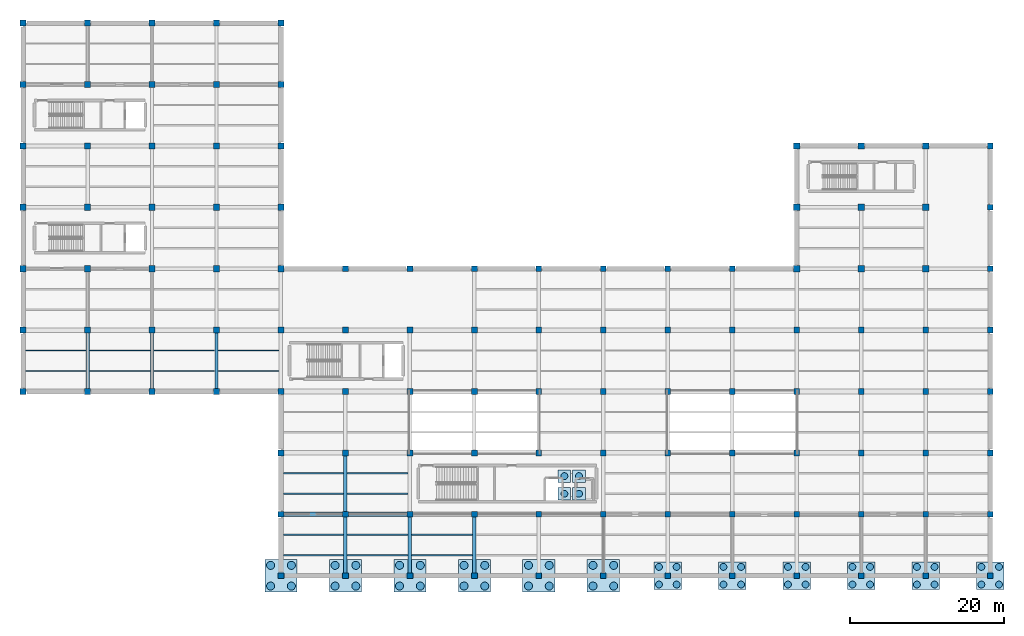
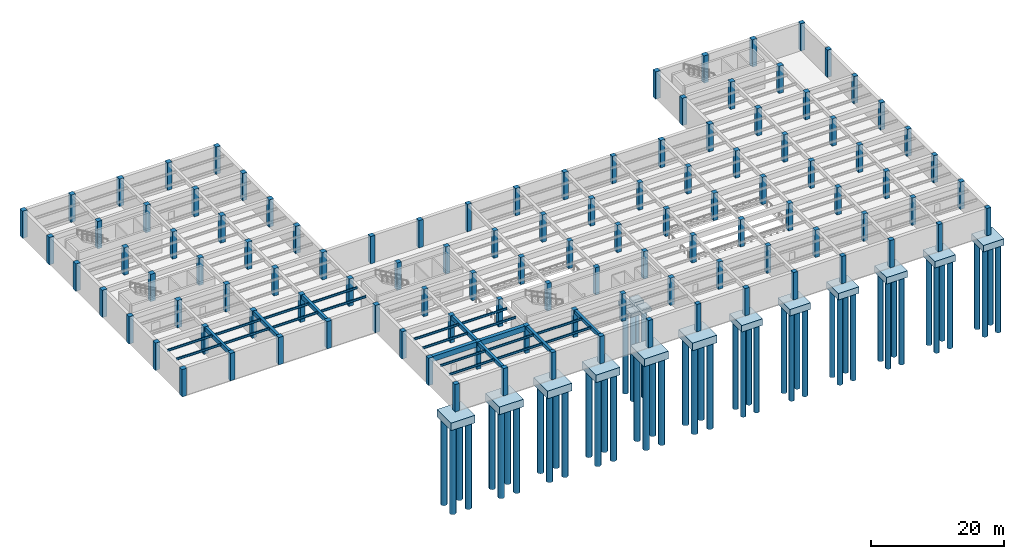
# One storey, part 1 of 16: 112 columns, 52 piles, 27 beams, 16 footings.
"""IFC4 building model written with IfcOpenShell, lengths in metres."""

from ifc_helpers import new_model, si_unit, direction, frame, origin, origin_2d, place, context, subcontext, project, spatial, rectangle, circle, i_section, extrude, material, material_profile, profile_set, type_object, element, save


model = new_model("IFC4")

# Units and contexts
model_context = context("Model", 3, precision=1e-05, world=origin(), true_north=direction((0.0, 1.0)))
body_context = subcontext(model_context, "Body", "Model", "MODEL_VIEW")
ifc_project = project(units=[si_unit("LENGTHUNIT", "METRE"), si_unit("AREAUNIT", "SQUARE_METRE"), si_unit("VOLUMEUNIT", "CUBIC_METRE"), si_unit("PLANEANGLEUNIT", "RADIAN"), si_unit("MASSUNIT", "GRAM", prefix="KILO")], contexts=[model_context])

# Site, building, storey
site_placement = place(None, origin())
site = spatial("IfcSite", under=ifc_project, at=site_placement, CompositionType="ELEMENT")
building_placement = place(site_placement, origin())
building = spatial("IfcBuilding", under=site, at=building_placement, Name="Kranzveld Transit Interchange", CompositionType="ELEMENT")
storey_placement = place(building_placement, frame((0.0, 0.0, -5.43994140625)))
storey = spatial("IfcBuildingStorey", under=building, at=storey_placement, Name="B1", CompositionType="ELEMENT", Elevation=-5.43994140625)

# Footings
ifc_material_1 = material(Name="Concrete C40/50", Category="concrete")
footing_type_1 = type_object("IfcFootingType", Name="Pad Footing 1650x1650x650 C40/50", PredefinedType="PAD_FOOTING", material=ifc_material_1)
for number, where, z_axis, x_axis, name in (
    (1, (70.52490234375, 34.675048828125, -1.64990234375), (0.0, 0.0, 1.0), (1.0, 0.0, 0.0), "PIT-B1 Corner Pad Footing 1"),
    (2, (72.425048828125, 34.675048828125, -1.64990234375), (0.0, 0.0, 1.0), (1.0, 0.0, 0.0), "PIT-B1 Corner Pad Footing 2"),
    (3, (70.52490234375, 36.97509765625, -1.64990234375), (0.0, 0.0, 1.0), (1.0, 0.0, 0.0), "PIT-B1 Corner Pad Footing 3"),
    (4, (72.425048828125, 36.97509765625, -1.64990234375), (0.0, 0.0, 1.0), (1.0, 0.0, 0.0), "PIT-B1 Corner Pad Footing 4"),
):
    element("IfcFooting", number, at=place(storey_placement, frame(where, z_axis=z_axis, x_axis=x_axis)), inside=storey, type_object=footing_type_1, Name=name, PredefinedType="PAD_FOOTING", context=body_context, shape_type="SweptSolid", body=[
        extrude(rectangle(XDim=1.64990234375, YDim=1.64990234375, at=origin_2d()), origin(), (0.0, 0.0, 1.0), 0.64990234375),
    ])

# Piles
ifc_material_2 = material(Name="Concrete C40/50", Category="concrete")
ifc_material_profile_1 = material_profile(ifc_material_2, circle(Radius=0.52490234375, at=origin_2d()), Name="BORED PILE 1050")
ifc_profile_set_1 = profile_set([ifc_material_profile_1], Name="Concrete C40/50")
pile_type_1 = type_object("IfcPileType", Name="Pile Bored 1050 C40/50", PredefinedType="BORED", material=ifc_profile_set_1)
for number, where, z_axis, x_axis, name in (
    (5, (32.25, 22.64990234375, -1.699951171875), (0.0, 0.0, -1.0), (1.0, 0.0, 0.0), "Bored Pile 05/D-P1"),
    (6, (34.949951171875, 22.64990234375, -1.699951171875), (0.0, 0.0, -1.0), (1.0, 0.0, 0.0), "Bored Pile 05/D-P2"),
    (7, (32.25, 25.35009765625, -1.699951171875), (0.0, 0.0, -1.0), (1.0, 0.0, 0.0), "Bored Pile 05/D-P3"),
    (8, (34.949951171875, 25.35009765625, -1.699951171875), (0.0, 0.0, -1.0), (1.0, 0.0, 0.0), "Bored Pile 05/D-P4"),
    (9, (40.64990234375, 22.64990234375, -1.699951171875), (0.0, 0.0, -1.0), (1.0, 0.0, 0.0), "Bored Pile 06/D-P1"),
    (10, (43.35009765625, 22.64990234375, -1.699951171875), (0.0, 0.0, -1.0), (1.0, 0.0, 0.0), "Bored Pile 06/D-P2"),
    (11, (40.64990234375, 25.35009765625, -1.699951171875), (0.0, 0.0, -1.0), (1.0, 0.0, 0.0), "Bored Pile 06/D-P3"),
    (12, (43.35009765625, 25.35009765625, -1.699951171875), (0.0, 0.0, -1.0), (1.0, 0.0, 0.0), "Bored Pile 06/D-P4"),
    (13, (49.050048828125, 22.64990234375, -1.699951171875), (0.0, 0.0, -1.0), (1.0, 0.0, 0.0), "Bored Pile 07/D-P1"),
    (14, (51.75, 22.64990234375, -1.699951171875), (0.0, 0.0, -1.0), (1.0, 0.0, 0.0), "Bored Pile 07/D-P2"),
    (15, (49.050048828125, 25.35009765625, -1.699951171875), (0.0, 0.0, -1.0), (1.0, 0.0, 0.0), "Bored Pile 07/D-P3"),
    (16, (51.75, 25.35009765625, -1.699951171875), (0.0, 0.0, -1.0), (1.0, 0.0, 0.0), "Bored Pile 07/D-P4"),
    (17, (57.449951171875, 22.64990234375, -1.699951171875), (0.0, 0.0, -1.0), (1.0, 0.0, 0.0), "Bored Pile 08/D-P1"),
    (18, (60.14990234375, 22.64990234375, -1.699951171875), (0.0, 0.0, -1.0), (1.0, 0.0, 0.0), "Bored Pile 08/D-P2"),
    (19, (57.449951171875, 25.35009765625, -1.699951171875), (0.0, 0.0, -1.0), (1.0, 0.0, 0.0), "Bored Pile 08/D-P3"),
    (20, (60.14990234375, 25.35009765625, -1.699951171875), (0.0, 0.0, -1.0), (1.0, 0.0, 0.0), "Bored Pile 08/D-P4"),
    (21, (65.85009765625, 22.64990234375, -1.699951171875), (0.0, 0.0, -1.0), (1.0, 0.0, 0.0), "Bored Pile 09/D-P1"),
    (22, (68.550048828125, 22.64990234375, -1.699951171875), (0.0, 0.0, -1.0), (1.0, 0.0, 0.0), "Bored Pile 09/D-P2"),
    (23, (65.85009765625, 25.35009765625, -1.699951171875), (0.0, 0.0, -1.0), (1.0, 0.0, 0.0), "Bored Pile 09/D-P3"),
    (24, (68.550048828125, 25.35009765625, -1.699951171875), (0.0, 0.0, -1.0), (1.0, 0.0, 0.0), "Bored Pile 09/D-P4"),
    (25, (74.25, 22.64990234375, -1.699951171875), (0.0, 0.0, -1.0), (1.0, 0.0, 0.0), "Bored Pile 10/D-P1"),
    (26, (76.949951171875, 22.64990234375, -1.699951171875), (0.0, 0.0, -1.0), (1.0, 0.0, 0.0), "Bored Pile 10/D-P2"),
    (27, (74.25, 25.35009765625, -1.699951171875), (0.0, 0.0, -1.0), (1.0, 0.0, 0.0), "Bored Pile 10/D-P3"),
    (28, (76.949951171875, 25.35009765625, -1.699951171875), (0.0, 0.0, -1.0), (1.0, 0.0, 0.0), "Bored Pile 10/D-P4"),
):
    element("IfcPile", number, at=place(storey_placement, frame(where, z_axis=z_axis, x_axis=x_axis)), inside=storey, type_object=pile_type_1, Name=name, PredefinedType="BORED", context=body_context, shape_type="SweptSolid", body=[
        extrude(circle(Radius=0.52490234375, at=origin_2d()), origin(), (0.0, 0.0, 1.0), 15.860107421875),
    ])
ifc_material_3 = material(Name="Concrete C40/50", Category="concrete")
ifc_material_profile_2 = material_profile(ifc_material_3, circle(Radius=0.449951171875, at=origin_2d()), Name="BORED PILE 900")
ifc_profile_set_2 = profile_set([ifc_material_profile_2], Name="Concrete C40/50")
pile_type_2 = type_object("IfcPileType", Name="Pile Bored 900 C40/50", PredefinedType="BORED", material=ifc_profile_set_2)
for number, where, z_axis, x_axis, name in (
    (29, (70.52490234375, 34.675048828125, -1.550048828125), (0.0, 0.0, -1.0), (1.0, 0.0, 0.0), "Bored Pile PIT-B1-P1"),
    (30, (72.425048828125, 34.675048828125, -1.550048828125), (0.0, 0.0, -1.0), (1.0, 0.0, 0.0), "Bored Pile PIT-B1-P2"),
    (31, (70.52490234375, 36.97509765625, -1.550048828125), (0.0, 0.0, -1.0), (1.0, 0.0, 0.0), "Bored Pile PIT-B1-P3"),
    (32, (72.425048828125, 36.97509765625, -1.550048828125), (0.0, 0.0, -1.0), (1.0, 0.0, 0.0), "Bored Pile PIT-B1-P4"),
):
    element("IfcPile", number, at=place(storey_placement, frame(where, z_axis=z_axis, x_axis=x_axis)), inside=storey, type_object=pile_type_2, Name=name, PredefinedType="BORED", context=body_context, shape_type="SweptSolid", body=[
        extrude(circle(Radius=0.449951171875, at=origin_2d()), origin(), (0.0, 0.0, 1.0), 16.010009765625),
    ])
for number, where, z_axis, x_axis, name in (
    (33, (82.85009765625, 22.85009765625, -1.5), (0.0, 0.0, -1.0), (1.0, 0.0, 0.0), "Bored Pile 11/D-P1"),
    (34, (85.14990234375, 22.85009765625, -1.5), (0.0, 0.0, -1.0), (1.0, 0.0, 0.0), "Bored Pile 11/D-P2"),
    (35, (82.85009765625, 25.14990234375, -1.5), (0.0, 0.0, -1.0), (1.0, 0.0, 0.0), "Bored Pile 11/D-P3"),
    (36, (85.14990234375, 25.14990234375, -1.5), (0.0, 0.0, -1.0), (1.0, 0.0, 0.0), "Bored Pile 11/D-P4"),
    (37, (91.25, 22.85009765625, -1.5), (0.0, 0.0, -1.0), (1.0, 0.0, 0.0), "Bored Pile 12/D-P1"),
    (38, (93.550048828125, 22.85009765625, -1.5), (0.0, 0.0, -1.0), (1.0, 0.0, 0.0), "Bored Pile 12/D-P2"),
    (39, (91.25, 25.14990234375, -1.5), (0.0, 0.0, -1.0), (1.0, 0.0, 0.0), "Bored Pile 12/D-P3"),
    (40, (93.550048828125, 25.14990234375, -1.5), (0.0, 0.0, -1.0), (1.0, 0.0, 0.0), "Bored Pile 12/D-P4"),
    (41, (99.64990234375, 22.85009765625, -1.5), (0.0, 0.0, -1.0), (1.0, 0.0, 0.0), "Bored Pile 13/D-P1"),
    (42, (101.949951171875, 22.85009765625, -1.5), (0.0, 0.0, -1.0), (1.0, 0.0, 0.0), "Bored Pile 13/D-P2"),
    (43, (99.64990234375, 25.14990234375, -1.5), (0.0, 0.0, -1.0), (1.0, 0.0, 0.0), "Bored Pile 13/D-P3"),
    (44, (101.949951171875, 25.14990234375, -1.5), (0.0, 0.0, -1.0), (1.0, 0.0, 0.0), "Bored Pile 13/D-P4"),
    (45, (108.050048828125, 22.85009765625, -1.5), (0.0, 0.0, -1.0), (1.0, 0.0, 0.0), "Bored Pile 14/D-P1"),
    (46, (110.35009765625, 22.85009765625, -1.5), (0.0, 0.0, -1.0), (1.0, 0.0, 0.0), "Bored Pile 14/D-P2"),
    (47, (108.050048828125, 25.14990234375, -1.5), (0.0, 0.0, -1.0), (1.0, 0.0, 0.0), "Bored Pile 14/D-P3"),
    (48, (110.35009765625, 25.14990234375, -1.5), (0.0, 0.0, -1.0), (1.0, 0.0, 0.0), "Bored Pile 14/D-P4"),
    (49, (116.449951171875, 22.85009765625, -1.5), (0.0, 0.0, -1.0), (1.0, 0.0, 0.0), "Bored Pile 15/D-P1"),
    (50, (118.75, 22.85009765625, -1.5), (0.0, 0.0, -1.0), (1.0, 0.0, 0.0), "Bored Pile 15/D-P2"),
    (51, (116.449951171875, 25.14990234375, -1.5), (0.0, 0.0, -1.0), (1.0, 0.0, 0.0), "Bored Pile 15/D-P3"),
    (52, (118.75, 25.14990234375, -1.5), (0.0, 0.0, -1.0), (1.0, 0.0, 0.0), "Bored Pile 15/D-P4"),
    (53, (124.85009765625, 22.85009765625, -1.5), (0.0, 0.0, -1.0), (1.0, 0.0, 0.0), "Bored Pile 16/D-P1"),
    (54, (127.14990234375, 22.85009765625, -1.5), (0.0, 0.0, -1.0), (1.0, 0.0, 0.0), "Bored Pile 16/D-P2"),
    (55, (124.85009765625, 25.14990234375, -1.5), (0.0, 0.0, -1.0), (1.0, 0.0, 0.0), "Bored Pile 16/D-P3"),
    (56, (127.14990234375, 25.14990234375, -1.5), (0.0, 0.0, -1.0), (1.0, 0.0, 0.0), "Bored Pile 16/D-P4"),
):
    element("IfcPile", number, at=place(storey_placement, frame(where, z_axis=z_axis, x_axis=x_axis)), inside=storey, type_object=pile_type_2, Name=name, PredefinedType="BORED", context=body_context, shape_type="SweptSolid", body=[
        extrude(circle(Radius=0.449951171875, at=origin_2d()), origin(), (0.0, 0.0, 1.0), 16.06005859375),
    ])

# Footings
ifc_material_4 = material(Name="Concrete C40/50", Category="concrete")
footing_type_2 = type_object("IfcFootingType", Name="Pile Cap 3600x3600x1200 C40/50", PredefinedType="PILE_CAP", material=ifc_material_4)
for number, where, z_axis, x_axis, name in (
    (57, (84.0, 24.0, -1.60009765625), (0.0, 0.0, 1.0), (1.0, 0.0, 0.0), "Pile Cap 11/D"),
    (58, (92.39990234375, 24.0, -1.60009765625), (0.0, 0.0, 1.0), (1.0, 0.0, 0.0), "Pile Cap 12/D"),
    (59, (100.800048828125, 24.0, -1.60009765625), (0.0, 0.0, 1.0), (1.0, 0.0, 0.0), "Pile Cap 13/D"),
    (60, (109.199951171875, 24.0, -1.60009765625), (0.0, 0.0, 1.0), (1.0, 0.0, 0.0), "Pile Cap 14/D"),
    (61, (117.60009765625, 24.0, -1.60009765625), (0.0, 0.0, 1.0), (1.0, 0.0, 0.0), "Pile Cap 15/D"),
    (62, (126.0, 24.0, -1.60009765625), (0.0, 0.0, 1.0), (1.0, 0.0, 0.0), "Pile Cap 16/D"),
):
    element("IfcFooting", number, at=place(storey_placement, frame(where, z_axis=z_axis, x_axis=x_axis)), inside=storey, type_object=footing_type_2, Name=name, PredefinedType="PILE_CAP", context=body_context, shape_type="SweptSolid", body=[
        extrude(rectangle(XDim=3.60009765625, YDim=3.60009765625, at=origin_2d()), origin(), (0.0, 0.0, 1.0), 1.199951171875),
    ])
ifc_material_5 = material(Name="Concrete C40/50", Category="concrete")
footing_type_3 = type_object("IfcFootingType", Name="Pile Cap 4200x4200x1400 C40/50", PredefinedType="PILE_CAP", material=ifc_material_5)
for number, where, z_axis, x_axis, name in (
    (63, (33.60009765625, 24.0, -1.800048828125), (0.0, 0.0, 1.0), (1.0, 0.0, 0.0), "Pile Cap 05/D"),
    (64, (42.0, 24.0, -1.800048828125), (0.0, 0.0, 1.0), (1.0, 0.0, 0.0), "Pile Cap 06/D"),
    (65, (50.39990234375, 24.0, -1.800048828125), (0.0, 0.0, 1.0), (1.0, 0.0, 0.0), "Pile Cap 07/D"),
    (66, (58.800048828125, 24.0, -1.800048828125), (0.0, 0.0, 1.0), (1.0, 0.0, 0.0), "Pile Cap 08/D"),
    (67, (67.199951171875, 24.0, -1.800048828125), (0.0, 0.0, 1.0), (1.0, 0.0, 0.0), "Pile Cap 09/D"),
    (68, (75.60009765625, 24.0, -1.800048828125), (0.0, 0.0, 1.0), (1.0, 0.0, 0.0), "Pile Cap 10/D"),
):
    element("IfcFooting", number, at=place(storey_placement, frame(where, z_axis=z_axis, x_axis=x_axis)), inside=storey, type_object=footing_type_3, Name=name, PredefinedType="PILE_CAP", context=body_context, shape_type="SweptSolid", body=[
        extrude(rectangle(XDim=4.199951171875, YDim=4.199951171875, at=origin_2d()), origin(), (0.0, 0.0, 1.0), 1.39990234375),
    ])

# Columns
ifc_material_6 = material(Name="Concrete C40/50", Category="concrete")
ifc_material_profile_3 = material_profile(ifc_material_6, rectangle(XDim=0.75, YDim=0.75, at=origin_2d()), Name="RC 750x750")
ifc_profile_set_3 = profile_set([ifc_material_profile_3], Name="Concrete C40/50")
column_type_1 = type_object("IfcColumnType", Name="Column RC 750x750 C40/50", PredefinedType="COLUMN", material=ifc_profile_set_3)
for number, where, z_axis, x_axis, name in (
    (69, (33.60009765625, 24.0, 0.0), (0.0, 0.0, 1.0), (1.0, 0.0, 0.0), "B1 Column 05/D"),
    (70, (33.60009765625, 32.0, 0.0), (0.0, 0.0, 1.0), (1.0, 0.0, 0.0), "B1 Column 05/E"),
    (71, (33.60009765625, 40.0, 0.0), (0.0, 0.0, 1.0), (1.0, 0.0, 0.0), "B1 Column 05/F"),
    (72, (42.0, 24.0, 0.0), (0.0, 0.0, 1.0), (1.0, 0.0, 0.0), "B1 Column 06/D"),
    (73, (42.0, 32.0, 0.0), (0.0, 0.0, 1.0), (1.0, 0.0, 0.0), "B1 Column 06/E"),
    (74, (42.0, 40.0, 0.0), (0.0, 0.0, 1.0), (1.0, 0.0, 0.0), "B1 Column 06/F"),
    (75, (42.0, 48.0, 0.0), (0.0, 0.0, 1.0), (1.0, 0.0, 0.0), "B1 Column 06/G"),
    (76, (42.0, 56.0, 0.0), (0.0, 0.0, 1.0), (1.0, 0.0, 0.0), "B1 Column 06/H"),
    (77, (42.0, 64.0, 0.0), (0.0, 0.0, 1.0), (1.0, 0.0, 0.0), "B1 Column 06/J"),
    (78, (50.39990234375, 24.0, 0.0), (0.0, 0.0, 1.0), (1.0, 0.0, 0.0), "B1 Column 07/D"),
    (79, (50.39990234375, 32.0, 0.0), (0.0, 0.0, 1.0), (1.0, 0.0, 0.0), "B1 Column 07/E"),
    (80, (50.39990234375, 40.0, 0.0), (0.0, 0.0, 1.0), (1.0, 0.0, 0.0), "B1 Column 07/F"),
    (81, (50.39990234375, 48.0, 0.0), (0.0, 0.0, 1.0), (1.0, 0.0, 0.0), "B1 Column 07/G"),
    (82, (50.39990234375, 56.0, 0.0), (0.0, 0.0, 1.0), (1.0, 0.0, 0.0), "B1 Column 07/H"),
    (83, (50.39990234375, 64.0, 0.0), (0.0, 0.0, 1.0), (1.0, 0.0, 0.0), "B1 Column 07/J"),
    (84, (58.800048828125, 24.0, 0.0), (0.0, 0.0, 1.0), (1.0, 0.0, 0.0), "B1 Column 08/D"),
    (85, (58.800048828125, 32.0, 0.0), (0.0, 0.0, 1.0), (1.0, 0.0, 0.0), "B1 Column 08/E"),
    (86, (58.800048828125, 40.0, 0.0), (0.0, 0.0, 1.0), (1.0, 0.0, 0.0), "B1 Column 08/F"),
    (87, (58.800048828125, 48.0, 0.0), (0.0, 0.0, 1.0), (1.0, 0.0, 0.0), "B1 Column 08/G"),
    (88, (58.800048828125, 56.0, 0.0), (0.0, 0.0, 1.0), (1.0, 0.0, 0.0), "B1 Column 08/H"),
    (89, (58.800048828125, 64.0, 0.0), (0.0, 0.0, 1.0), (1.0, 0.0, 0.0), "B1 Column 08/J"),
    (90, (67.199951171875, 24.0, 0.0), (0.0, 0.0, 1.0), (1.0, 0.0, 0.0), "B1 Column 09/D"),
    (91, (67.199951171875, 32.0, 0.0), (0.0, 0.0, 1.0), (1.0, 0.0, 0.0), "B1 Column 09/E"),
    (92, (67.199951171875, 40.0, 0.0), (0.0, 0.0, 1.0), (1.0, 0.0, 0.0), "B1 Column 09/F"),
    (93, (67.199951171875, 48.0, 0.0), (0.0, 0.0, 1.0), (1.0, 0.0, 0.0), "B1 Column 09/G"),
    (94, (67.199951171875, 56.0, 0.0), (0.0, 0.0, 1.0), (1.0, 0.0, 0.0), "B1 Column 09/H"),
    (95, (67.199951171875, 64.0, 0.0), (0.0, 0.0, 1.0), (1.0, 0.0, 0.0), "B1 Column 09/J"),
    (96, (75.60009765625, 24.0, 0.0), (0.0, 0.0, 1.0), (1.0, 0.0, 0.0), "B1 Column 10/D"),
    (97, (75.60009765625, 32.0, 0.0), (0.0, 0.0, 1.0), (1.0, 0.0, 0.0), "B1 Column 10/E"),
    (98, (75.60009765625, 40.0, 0.0), (0.0, 0.0, 1.0), (1.0, 0.0, 0.0), "B1 Column 10/F"),
    (99, (75.60009765625, 48.0, 0.0), (0.0, 0.0, 1.0), (1.0, 0.0, 0.0), "B1 Column 10/G"),
    (100, (75.60009765625, 56.0, 0.0), (0.0, 0.0, 1.0), (1.0, 0.0, 0.0), "B1 Column 10/H"),
    (101, (75.60009765625, 64.0, 0.0), (0.0, 0.0, 1.0), (1.0, 0.0, 0.0), "B1 Column 10/J"),
    (102, (84.0, 24.0, 0.0), (0.0, 0.0, 1.0), (1.0, 0.0, 0.0), "B1 Column 11/D"),
    (103, (84.0, 32.0, 0.0), (0.0, 0.0, 1.0), (1.0, 0.0, 0.0), "B1 Column 11/E"),
    (104, (84.0, 40.0, 0.0), (0.0, 0.0, 1.0), (1.0, 0.0, 0.0), "B1 Column 11/F"),
    (105, (84.0, 48.0, 0.0), (0.0, 0.0, 1.0), (1.0, 0.0, 0.0), "B1 Column 11/G"),
    (106, (84.0, 56.0, 0.0), (0.0, 0.0, 1.0), (1.0, 0.0, 0.0), "B1 Column 11/H"),
    (107, (84.0, 64.0, 0.0), (0.0, 0.0, 1.0), (1.0, 0.0, 0.0), "B1 Column 11/J"),
    (108, (92.39990234375, 24.0, 0.0), (0.0, 0.0, 1.0), (1.0, 0.0, 0.0), "B1 Column 12/D"),
    (109, (92.39990234375, 32.0, 0.0), (0.0, 0.0, 1.0), (1.0, 0.0, 0.0), "B1 Column 12/E"),
    (110, (92.39990234375, 40.0, 0.0), (0.0, 0.0, 1.0), (1.0, 0.0, 0.0), "B1 Column 12/F"),
    (111, (92.39990234375, 48.0, 0.0), (0.0, 0.0, 1.0), (1.0, 0.0, 0.0), "B1 Column 12/G"),
    (112, (92.39990234375, 56.0, 0.0), (0.0, 0.0, 1.0), (1.0, 0.0, 0.0), "B1 Column 12/H"),
    (113, (92.39990234375, 64.0, 0.0), (0.0, 0.0, 1.0), (1.0, 0.0, 0.0), "B1 Column 12/J"),
    (114, (100.800048828125, 24.0, 0.0), (0.0, 0.0, 1.0), (1.0, 0.0, 0.0), "B1 Column 13/D"),
    (115, (100.800048828125, 32.0, 0.0), (0.0, 0.0, 1.0), (1.0, 0.0, 0.0), "B1 Column 13/E"),
    (116, (100.800048828125, 40.0, 0.0), (0.0, 0.0, 1.0), (1.0, 0.0, 0.0), "B1 Column 13/F"),
    (117, (100.800048828125, 48.0, 0.0), (0.0, 0.0, 1.0), (1.0, 0.0, 0.0), "B1 Column 13/G"),
    (118, (100.800048828125, 56.0, 0.0), (0.0, 0.0, 1.0), (1.0, 0.0, 0.0), "B1 Column 13/H"),
    (119, (109.199951171875, 24.0, 0.0), (0.0, 0.0, 1.0), (1.0, 0.0, 0.0), "B1 Column 14/D"),
    (120, (109.199951171875, 32.0, 0.0), (0.0, 0.0, 1.0), (1.0, 0.0, 0.0), "B1 Column 14/E"),
    (121, (109.199951171875, 40.0, 0.0), (0.0, 0.0, 1.0), (1.0, 0.0, 0.0), "B1 Column 14/F"),
    (122, (109.199951171875, 48.0, 0.0), (0.0, 0.0, 1.0), (1.0, 0.0, 0.0), "B1 Column 14/G"),
    (123, (109.199951171875, 56.0, 0.0), (0.0, 0.0, 1.0), (1.0, 0.0, 0.0), "B1 Column 14/H"),
    (124, (117.60009765625, 24.0, 0.0), (0.0, 0.0, 1.0), (1.0, 0.0, 0.0), "B1 Column 15/D"),
    (125, (117.60009765625, 32.0, 0.0), (0.0, 0.0, 1.0), (1.0, 0.0, 0.0), "B1 Column 15/E"),
    (126, (117.60009765625, 40.0, 0.0), (0.0, 0.0, 1.0), (1.0, 0.0, 0.0), "B1 Column 15/F"),
    (127, (117.60009765625, 48.0, 0.0), (0.0, 0.0, 1.0), (1.0, 0.0, 0.0), "B1 Column 15/G"),
    (128, (117.60009765625, 56.0, 0.0), (0.0, 0.0, 1.0), (1.0, 0.0, 0.0), "B1 Column 15/H"),
    (129, (126.0, 24.0, 0.0), (0.0, 0.0, 1.0), (1.0, 0.0, 0.0), "B1 Column 16/D"),
    (130, (126.0, 32.0, 0.0), (0.0, 0.0, 1.0), (1.0, 0.0, 0.0), "B1 Column 16/E"),
    (131, (126.0, 40.0, 0.0), (0.0, 0.0, 1.0), (1.0, 0.0, 0.0), "B1 Column 16/F"),
    (132, (126.0, 48.0, 0.0), (0.0, 0.0, 1.0), (1.0, 0.0, 0.0), "B1 Column 16/G"),
    (133, (126.0, 56.0, 0.0), (0.0, 0.0, 1.0), (1.0, 0.0, 0.0), "B1 Column 16/H"),
    (134, (126.0, 64.0, 0.0), (0.0, 0.0, 1.0), (1.0, 0.0, 0.0), "B1 Column 16/J"),
    (135, (126.0, 72.0, 0.0), (0.0, 0.0, 1.0), (1.0, 0.0, 0.0), "B1 Column 16/K"),
    (136, (126.0, 80.0, 0.0), (0.0, 0.0, 1.0), (1.0, 0.0, 0.0), "B1 Column 16/L"),
):
    element("IfcColumn", number, at=place(storey_placement, frame(where, z_axis=z_axis, x_axis=x_axis)), inside=storey, type_object=column_type_1, Name=name, PredefinedType="COLUMN", context=body_context, shape_type="SweptSolid", body=[
        extrude(rectangle(XDim=0.75, YDim=0.75, at=origin_2d()), origin(), (0.0, 0.0, 1.0), 5.02001953125),
    ])
ifc_material_7 = material(Name="Concrete C40/50", Category="concrete")
ifc_material_profile_4 = material_profile(ifc_material_7, rectangle(XDim=0.800048828125, YDim=0.800048828125, at=origin_2d()), Name="RC 800x800")
ifc_profile_set_4 = profile_set([ifc_material_profile_4], Name="Concrete C40/50")
column_type_2 = type_object("IfcColumnType", Name="Column RC 800x800 C40/50", PredefinedType="COLUMN", material=ifc_profile_set_4)
for number, where, z_axis, x_axis, name in (
    (137, (0.0, 48.0, 0.0), (0.0, 0.0, 1.0), (1.0, 0.0, 0.0), "B1 Column 01/G"),
    (138, (0.0, 56.0, 0.0), (0.0, 0.0, 1.0), (1.0, 0.0, 0.0), "B1 Column 01/H"),
    (139, (0.0, 64.0, 0.0), (0.0, 0.0, 1.0), (1.0, 0.0, 0.0), "B1 Column 01/J"),
    (140, (0.0, 72.0, 0.0), (0.0, 0.0, 1.0), (1.0, 0.0, 0.0), "B1 Column 01/K"),
    (141, (0.0, 80.0, 0.0), (0.0, 0.0, 1.0), (1.0, 0.0, 0.0), "B1 Column 01/L"),
    (142, (0.0, 88.0, 0.0), (0.0, 0.0, 1.0), (1.0, 0.0, 0.0), "B1 Column 01/M"),
    (143, (0.0, 96.0, 0.0), (0.0, 0.0, 1.0), (1.0, 0.0, 0.0), "B1 Column 01/N"),
    (144, (8.39990234375, 48.0, 0.0), (0.0, 0.0, 1.0), (1.0, 0.0, 0.0), "B1 Column 02/G"),
    (145, (8.39990234375, 56.0, 0.0), (0.0, 0.0, 1.0), (1.0, 0.0, 0.0), "B1 Column 02/H"),
    (146, (8.39990234375, 64.0, 0.0), (0.0, 0.0, 1.0), (1.0, 0.0, 0.0), "B1 Column 02/J"),
    (147, (8.39990234375, 72.0, 0.0), (0.0, 0.0, 1.0), (1.0, 0.0, 0.0), "B1 Column 02/K"),
    (148, (8.39990234375, 80.0, 0.0), (0.0, 0.0, 1.0), (1.0, 0.0, 0.0), "B1 Column 02/L"),
    (149, (8.39990234375, 88.0, 0.0), (0.0, 0.0, 1.0), (1.0, 0.0, 0.0), "B1 Column 02/M"),
    (150, (8.39990234375, 96.0, 0.0), (0.0, 0.0, 1.0), (1.0, 0.0, 0.0), "B1 Column 02/N"),
    (151, (16.800048828125, 48.0, 0.0), (0.0, 0.0, 1.0), (1.0, 0.0, 0.0), "B1 Column 03/G"),
    (152, (16.800048828125, 56.0, 0.0), (0.0, 0.0, 1.0), (1.0, 0.0, 0.0), "B1 Column 03/H"),
    (153, (16.800048828125, 64.0, 0.0), (0.0, 0.0, 1.0), (1.0, 0.0, 0.0), "B1 Column 03/J"),
    (154, (16.800048828125, 72.0, 0.0), (0.0, 0.0, 1.0), (1.0, 0.0, 0.0), "B1 Column 03/K"),
    (155, (16.800048828125, 80.0, 0.0), (0.0, 0.0, 1.0), (1.0, 0.0, 0.0), "B1 Column 03/L"),
    (156, (16.800048828125, 88.0, 0.0), (0.0, 0.0, 1.0), (1.0, 0.0, 0.0), "B1 Column 03/M"),
    (157, (16.800048828125, 96.0, 0.0), (0.0, 0.0, 1.0), (1.0, 0.0, 0.0), "B1 Column 03/N"),
    (158, (25.199951171875, 48.0, 0.0), (0.0, 0.0, 1.0), (1.0, 0.0, 0.0), "B1 Column 04/G"),
    (159, (25.199951171875, 56.0, 0.0), (0.0, 0.0, 1.0), (1.0, 0.0, 0.0), "B1 Column 04/H"),
    (160, (25.199951171875, 64.0, 0.0), (0.0, 0.0, 1.0), (1.0, 0.0, 0.0), "B1 Column 04/J"),
    (161, (25.199951171875, 72.0, 0.0), (0.0, 0.0, 1.0), (1.0, 0.0, 0.0), "B1 Column 04/K"),
    (162, (25.199951171875, 80.0, 0.0), (0.0, 0.0, 1.0), (1.0, 0.0, 0.0), "B1 Column 04/L"),
    (163, (25.199951171875, 88.0, 0.0), (0.0, 0.0, 1.0), (1.0, 0.0, 0.0), "B1 Column 04/M"),
    (164, (25.199951171875, 96.0, 0.0), (0.0, 0.0, 1.0), (1.0, 0.0, 0.0), "B1 Column 04/N"),
    (165, (33.60009765625, 48.0, 0.0), (0.0, 0.0, 1.0), (1.0, 0.0, 0.0), "B1 Column 05/G"),
    (166, (33.60009765625, 56.0, 0.0), (0.0, 0.0, 1.0), (1.0, 0.0, 0.0), "B1 Column 05/H"),
    (167, (33.60009765625, 64.0, 0.0), (0.0, 0.0, 1.0), (1.0, 0.0, 0.0), "B1 Column 05/J"),
    (168, (33.60009765625, 72.0, 0.0), (0.0, 0.0, 1.0), (1.0, 0.0, 0.0), "B1 Column 05/K"),
    (169, (33.60009765625, 80.0, 0.0), (0.0, 0.0, 1.0), (1.0, 0.0, 0.0), "B1 Column 05/L"),
    (170, (33.60009765625, 88.0, 0.0), (0.0, 0.0, 1.0), (1.0, 0.0, 0.0), "B1 Column 05/M"),
    (171, (33.60009765625, 96.0, 0.0), (0.0, 0.0, 1.0), (1.0, 0.0, 0.0), "B1 Column 05/N"),
    (172, (100.800048828125, 64.0, 0.0), (0.0, 0.0, 1.0), (1.0, 0.0, 0.0), "B1 Column 13/J"),
    (173, (100.800048828125, 72.0, 0.0), (0.0, 0.0, 1.0), (1.0, 0.0, 0.0), "B1 Column 13/K"),
    (174, (100.800048828125, 80.0, 0.0), (0.0, 0.0, 1.0), (1.0, 0.0, 0.0), "B1 Column 13/L"),
    (175, (109.199951171875, 64.0, 0.0), (0.0, 0.0, 1.0), (1.0, 0.0, 0.0), "B1 Column 14/J"),
    (176, (109.199951171875, 72.0, 0.0), (0.0, 0.0, 1.0), (1.0, 0.0, 0.0), "B1 Column 14/K"),
    (177, (109.199951171875, 80.0, 0.0), (0.0, 0.0, 1.0), (1.0, 0.0, 0.0), "B1 Column 14/L"),
    (178, (117.60009765625, 64.0, 0.0), (0.0, 0.0, 1.0), (1.0, 0.0, 0.0), "B1 Column 15/J"),
    (179, (117.60009765625, 72.0, 0.0), (0.0, 0.0, 1.0), (1.0, 0.0, 0.0), "B1 Column 15/K"),
    (180, (117.60009765625, 80.0, 0.0), (0.0, 0.0, 1.0), (1.0, 0.0, 0.0), "B1 Column 15/L"),
):
    element("IfcColumn", number, at=place(storey_placement, frame(where, z_axis=z_axis, x_axis=x_axis)), inside=storey, type_object=column_type_2, Name=name, PredefinedType="COLUMN", context=body_context, shape_type="SweptSolid", body=[
        extrude(rectangle(XDim=0.800048828125, YDim=0.800048828125, at=origin_2d()), origin(), (0.0, 0.0, 1.0), 5.02001953125),
    ])

# Beams
ifc_material_8 = material(Name="Concrete C35/45", Category="concrete")
ifc_material_profile_5 = material_profile(ifc_material_8, rectangle(XDim=0.449951171875, YDim=0.64990234375, at=origin_2d()), Name="RC 450x650")
ifc_profile_set_5 = profile_set([ifc_material_profile_5], Name="Concrete C35/45")
beam_type_1 = type_object("IfcBeamType", Name="Beam RC 450x650 C35/45", PredefinedType="BEAM", material=ifc_profile_set_5)
for number, where, z_axis, x_axis, name in (
    (181, (42.0, 24.364990234375, 4.69482421875), (0.0, 1.0, 0.0), (-1.0, 0.0, 0.0), "B1 Girder 06/D-E"),
    (182, (50.39990234375, 24.364990234375, 4.69482421875), (0.0, 1.0, 0.0), (-1.0, 0.0, 0.0), "B1 Girder 07/D-E"),
    (183, (58.800048828125, 24.364990234375, 4.69482421875), (0.0, 1.0, 0.0), (-1.0, 0.0, 0.0), "B1 Girder 08/D-E"),
):
    element("IfcBeam", number, at=place(storey_placement, frame(where, z_axis=z_axis, x_axis=x_axis)), inside=storey, type_object=beam_type_1, Name=name, PredefinedType="BEAM", context=body_context, shape_type="SweptSolid", body=[
        extrude(rectangle(XDim=0.449951171875, YDim=0.64990234375, at=origin_2d()), origin(), (0.0, 0.0, 1.0), 7.27001953125),
    ])
ifc_material_9 = material(Name="Concrete C35/45", Category="concrete")
ifc_material_profile_6 = material_profile(ifc_material_9, rectangle(XDim=0.449951171875, YDim=0.75, at=origin_2d()), Name="RC 450x750")
ifc_profile_set_6 = profile_set([ifc_material_profile_6], Name="Concrete C35/45")
beam_type_2 = type_object("IfcBeamType", Name="Beam RC 450x750 C35/45", PredefinedType="BEAM", material=ifc_profile_set_6)
for number, where, z_axis, x_axis, name in (
    (184, (8.39990234375, 48.389892578125, 4.64501953125), (0.0, 1.0, 0.0), (-1.0, 0.0, 0.0), "B1 Girder 02/G-H"),
    (185, (16.800048828125, 48.389892578125, 4.64501953125), (0.0, 1.0, 0.0), (-1.0, 0.0, 0.0), "B1 Girder 03/G-H"),
    (186, (25.199951171875, 48.389892578125, 4.64501953125), (0.0, 1.0, 0.0), (-1.0, 0.0, 0.0), "B1 Girder 04/G-H"),
):
    element("IfcBeam", number, at=place(storey_placement, frame(where, z_axis=z_axis, x_axis=x_axis)), inside=storey, type_object=beam_type_2, Name=name, PredefinedType="BEAM", context=body_context, shape_type="SweptSolid", body=[
        extrude(rectangle(XDim=0.449951171875, YDim=0.75, at=origin_2d()), origin(), (0.0, 0.0, 1.0), 7.22021484375),
    ])
beam_placement = place(storey_placement, frame((42.0, 32.364990234375, 4.64501953125), z_axis=(0.0, 1.0, 0.0), x_axis=(-1.0, 0.0, 0.0)))
element("IfcBeam", 187, at=beam_placement, inside=storey, type_object=beam_type_2, Name="B1 Girder 06/E-F", PredefinedType="BEAM", context=body_context, shape_type="SweptSolid", body=[
    extrude(rectangle(XDim=0.449951171875, YDim=0.75, at=origin_2d()), origin(), (0.0, 0.0, 1.0), 7.27001953125),
])
ifc_material_10 = material(Name="Steel S355JR", Category="steel")
ifc_material_profile_7 = material_profile(ifc_material_10, i_section(OverallWidth=0.177978515625, OverallDepth=0.406494140625, WebThickness=0.0078125, FlangeThickness=0.0126953125, FilletRadius=0.01025390625, at=origin_2d()), Name="UB 406x178x60")
ifc_profile_set_7 = profile_set([ifc_material_profile_7], Name="Steel S355JR")
beam_type_3 = type_object("IfcBeamType", Name="Floor Joist UB 406x178x60 S355JR", PredefinedType="JOIST", material=ifc_profile_set_7)
for number, where, z_axis, x_axis, name in (
    (188, (0.302001953125, 50.666748046875, 4.816650390625), (1.0, 0.0, 0.0), (0.0, 1.0, 0.0), "B1 Secondary Joist 01-02/G.1"),
    (189, (0.302001953125, 53.333251953125, 4.816650390625), (1.0, 0.0, 0.0), (0.0, 1.0, 0.0), "B1 Secondary Joist 01-02/G.2"),
):
    element("IfcBeam", number, at=place(storey_placement, frame(where, z_axis=z_axis, x_axis=x_axis)), inside=storey, type_object=beam_type_3, Name=name, PredefinedType="JOIST", context=body_context, shape_type="SweptSolid", body=[
        extrude(i_section(OverallWidth=0.177978515625, OverallDepth=0.406494140625, WebThickness=0.0078125, FlangeThickness=0.0126953125, FilletRadius=0.01025390625, at=origin_2d()), origin(), (0.0, 0.0, 1.0), 7.87109375),
    ])
for number, where, z_axis, x_axis, name in (
    (190, (8.626953125, 50.666748046875, 4.816650390625), (1.0, 0.0, 0.0), (0.0, 1.0, 0.0), "B1 Secondary Joist 02-03/G.1"),
    (191, (8.626953125, 53.333251953125, 4.816650390625), (1.0, 0.0, 0.0), (0.0, 1.0, 0.0), "B1 Secondary Joist 02-03/G.2"),
):
    element("IfcBeam", number, at=place(storey_placement, frame(where, z_axis=z_axis, x_axis=x_axis)), inside=storey, type_object=beam_type_3, Name=name, PredefinedType="JOIST", context=body_context, shape_type="SweptSolid", body=[
        extrude(i_section(OverallWidth=0.177978515625, OverallDepth=0.406494140625, WebThickness=0.0078125, FlangeThickness=0.0126953125, FilletRadius=0.01025390625, at=origin_2d()), origin(), (0.0, 0.0, 1.0), 7.946044921875),
    ])
for number, where, z_axis, x_axis, name in (
    (192, (17.027099609375, 50.666748046875, 4.816650390625), (1.0, 0.0, 0.0), (0.0, 1.0, 0.0), "B1 Secondary Joist 03-04/G.1"),
    (193, (17.027099609375, 53.333251953125, 4.816650390625), (1.0, 0.0, 0.0), (0.0, 1.0, 0.0), "B1 Secondary Joist 03-04/G.2"),
):
    element("IfcBeam", number, at=place(storey_placement, frame(where, z_axis=z_axis, x_axis=x_axis)), inside=storey, type_object=beam_type_3, Name=name, PredefinedType="JOIST", context=body_context, shape_type="SweptSolid", body=[
        extrude(i_section(OverallWidth=0.177978515625, OverallDepth=0.406494140625, WebThickness=0.0078125, FlangeThickness=0.0126953125, FilletRadius=0.01025390625, at=origin_2d()), origin(), (0.0, 0.0, 1.0), 7.94580078125),
    ])
for number, where, z_axis, x_axis, name in (
    (194, (25.427001953125, 50.666748046875, 4.816650390625), (1.0, 0.0, 0.0), (0.0, 1.0, 0.0), "B1 Secondary Joist 04-05/G.1"),
    (195, (25.427001953125, 53.333251953125, 4.816650390625), (1.0, 0.0, 0.0), (0.0, 1.0, 0.0), "B1 Secondary Joist 04-05/G.2"),
):
    element("IfcBeam", number, at=place(storey_placement, frame(where, z_axis=z_axis, x_axis=x_axis)), inside=storey, type_object=beam_type_3, Name=name, PredefinedType="JOIST", context=body_context, shape_type="SweptSolid", body=[
        extrude(i_section(OverallWidth=0.177978515625, OverallDepth=0.406494140625, WebThickness=0.0078125, FlangeThickness=0.0126953125, FilletRadius=0.01025390625, at=origin_2d()), origin(), (0.0, 0.0, 1.0), 7.946044921875),
    ])
for number, where, z_axis, x_axis, name in (
    (196, (33.902099609375, 26.666748046875, 4.816650390625), (1.0, 0.0, 0.0), (0.0, 1.0, 0.0), "B1 Secondary Joist 05-06/D.1"),
    (197, (33.902099609375, 29.333251953125, 4.816650390625), (1.0, 0.0, 0.0), (0.0, 1.0, 0.0), "B1 Secondary Joist 05-06/D.2"),
    (198, (33.902099609375, 34.666748046875, 4.816650390625), (1.0, 0.0, 0.0), (0.0, 1.0, 0.0), "B1 Secondary Joist 05-06/E.1"),
    (199, (33.902099609375, 37.333251953125, 4.816650390625), (1.0, 0.0, 0.0), (0.0, 1.0, 0.0), "B1 Secondary Joist 05-06/E.2"),
):
    element("IfcBeam", number, at=place(storey_placement, frame(where, z_axis=z_axis, x_axis=x_axis)), inside=storey, type_object=beam_type_3, Name=name, PredefinedType="JOIST", context=body_context, shape_type="SweptSolid", body=[
        extrude(i_section(OverallWidth=0.177978515625, OverallDepth=0.406494140625, WebThickness=0.0078125, FlangeThickness=0.0126953125, FilletRadius=0.01025390625, at=origin_2d()), origin(), (0.0, 0.0, 1.0), 7.870849609375),
    ])
for number, where, z_axis, x_axis, name in (
    (200, (42.22705078125, 26.666748046875, 4.816650390625), (1.0, 0.0, 0.0), (0.0, 1.0, 0.0), "B1 Secondary Joist 06-07/D.1"),
    (201, (42.22705078125, 29.333251953125, 4.816650390625), (1.0, 0.0, 0.0), (0.0, 1.0, 0.0), "B1 Secondary Joist 06-07/D.2"),
    (202, (42.22705078125, 34.666748046875, 4.816650390625), (1.0, 0.0, 0.0), (0.0, 1.0, 0.0), "B1 Secondary Joist 06-07/E.1"),
    (203, (42.22705078125, 37.333251953125, 4.816650390625), (1.0, 0.0, 0.0), (0.0, 1.0, 0.0), "B1 Secondary Joist 06-07/E.2"),
    (204, (50.626953125, 26.666748046875, 4.816650390625), (1.0, 0.0, 0.0), (0.0, 1.0, 0.0), "B1 Secondary Joist 07-08/D.1"),
    (205, (50.626953125, 29.333251953125, 4.816650390625), (1.0, 0.0, 0.0), (0.0, 1.0, 0.0), "B1 Secondary Joist 07-08/D.2"),
):
    element("IfcBeam", number, at=place(storey_placement, frame(where, z_axis=z_axis, x_axis=x_axis)), inside=storey, type_object=beam_type_3, Name=name, PredefinedType="JOIST", context=body_context, shape_type="SweptSolid", body=[
        extrude(i_section(OverallWidth=0.177978515625, OverallDepth=0.406494140625, WebThickness=0.0078125, FlangeThickness=0.0126953125, FilletRadius=0.01025390625, at=origin_2d()), origin(), (0.0, 0.0, 1.0), 7.946044921875),
    ])
ifc_material_11 = material(Name="Concrete C40/50", Category="concrete")
ifc_material_profile_8 = material_profile(ifc_material_11, rectangle(XDim=0.60009765625, YDim=0.949951171875, at=origin_2d()), Name="RC 600x950")
ifc_profile_set_8 = profile_set([ifc_material_profile_8], Name="Concrete C40/50")
beam_type_4 = type_object("IfcBeamType", Name="Girder RC 600x950 C40/50", PredefinedType="BEAM", material=ifc_profile_set_8)
for number, where, z_axis, x_axis, name in (
    (206, (33.965087890625, 32.0, 4.544921875), (1.0, 0.0, 0.0), (0.0, 1.0, 0.0), "B1 Girder 05-06/E"),
    (207, (42.364990234375, 32.0, 4.544921875), (1.0, 0.0, 0.0), (0.0, 1.0, 0.0), "B1 Girder 06-07/E"),
):
    element("IfcBeam", number, at=place(storey_placement, frame(where, z_axis=z_axis, x_axis=x_axis)), inside=storey, type_object=beam_type_4, Name=name, PredefinedType="BEAM", context=body_context, shape_type="SweptSolid", body=[
        extrude(rectangle(XDim=0.60009765625, YDim=0.949951171875, at=origin_2d()), origin(), (0.0, 0.0, 1.0), 7.669921875),
    ])

save(model, "model.ifc")
